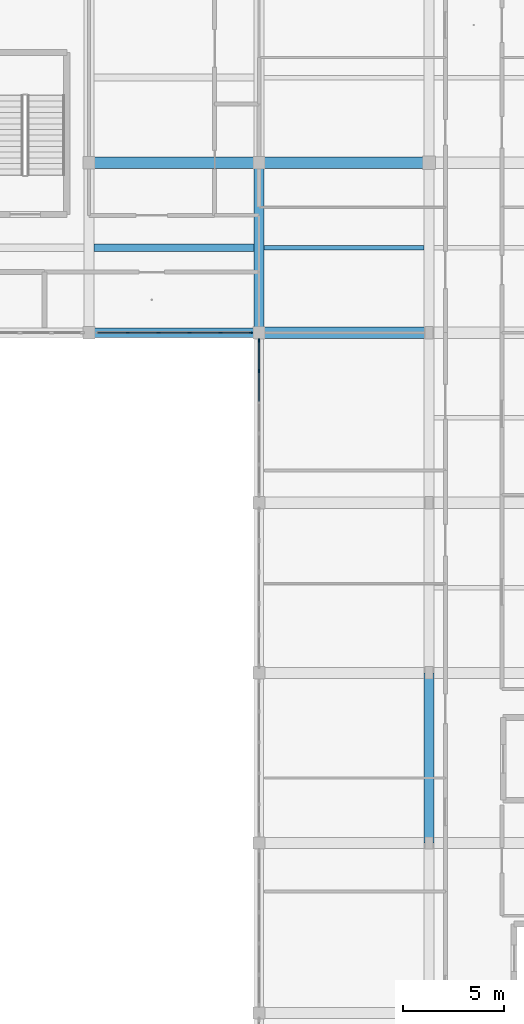
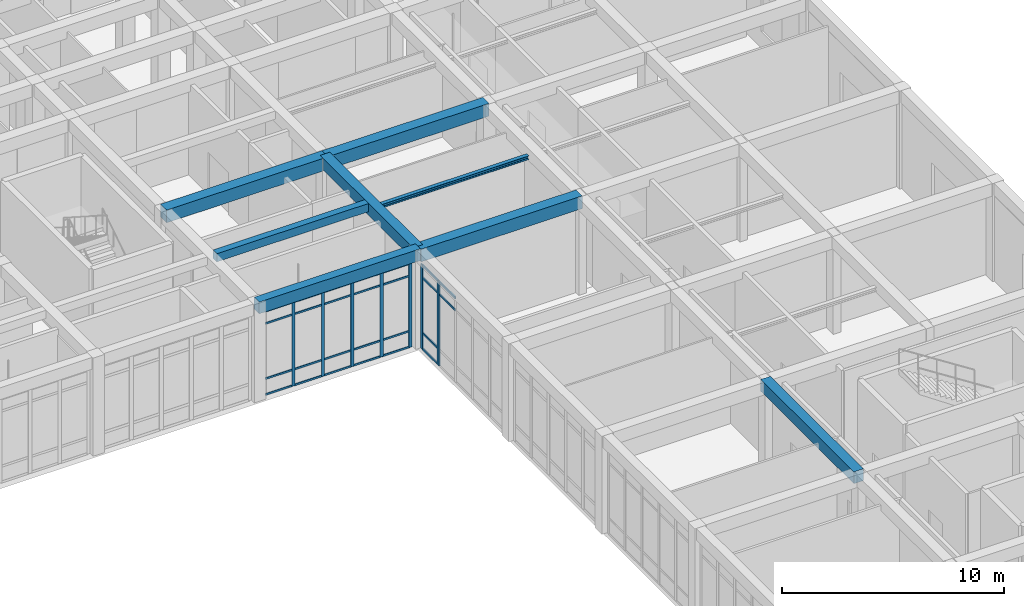
# One storey, part 52 of 157: 33 members, 8 beams, 2 elements without a shape of their own.
"""IFC4 building model written with IfcOpenShell, lengths in metres."""

from ifc_helpers import new_model, si_unit, direction, frame, origin, origin_2d, place, context, subcontext, project, spatial, rectangle, i_section, extrude, material, material_profile, profile_set, type_object, element, aggregate, save


model = new_model("IFC4")

# Units and contexts
model_context = context("Model", 3, precision=1e-05, world=origin(), true_north=direction((0.0, 1.0)))
body_context = subcontext(model_context, "Body", "Model", "MODEL_VIEW")
ifc_project = project(units=[si_unit("LENGTHUNIT", "METRE"), si_unit("AREAUNIT", "SQUARE_METRE"), si_unit("VOLUMEUNIT", "CUBIC_METRE"), si_unit("PLANEANGLEUNIT", "RADIAN"), si_unit("MASSUNIT", "GRAM", prefix="KILO")], contexts=[model_context])

# Site, building, storey
site_placement = place(None, origin())
site = spatial("IfcSite", under=ifc_project, at=site_placement, CompositionType="ELEMENT")
building_placement = place(site_placement, origin())
building = spatial("IfcBuilding", under=site, at=building_placement, Name="Varncliffe General Hospital", CompositionType="ELEMENT")
storey_placement = place(building_placement, frame((0.0, 0.0, 5.39990234375)))
storey = spatial("IfcBuildingStorey", under=building, at=storey_placement, Name="L01", CompositionType="ELEMENT", Elevation=5.39990234375)

# Beams
ifc_material_1 = material(Name="Concrete C35/45 (CSA A23.1 35 MPa)", Category="concrete")
ifc_material_profile_1 = material_profile(ifc_material_1, rectangle(XDim=0.5, YDim=0.64990234375, at=origin_2d()), Name="RC 500x650")
ifc_profile_set_1 = profile_set([ifc_material_profile_1], Name="Concrete C35/45 (CSA A23.1 35 MPa)")
beam_type_1 = type_object("IfcBeamType", Name="Beam B29 (Int RC 500x650)", PredefinedType="BEAM", material=ifc_profile_set_1)
for number, where, z_axis, x_axis, name in (
    (1, (151.199951171875, 82.800048828125, 5.0751953125), (0.0, 1.0, 0.0), (-1.0, 0.0, 0.0), "L01 Primary Beam B29-470"),
    (2, (159.60009765625, 57.60009765625, 5.0751953125), (0.0, 1.0, 0.0), (-1.0, 0.0, 0.0), "L01 Primary Beam B29-484"),
):
    element("IfcBeam", number, at=place(storey_placement, frame(where, z_axis=z_axis, x_axis=x_axis)), inside=storey, type_object=beam_type_1, Name=name, PredefinedType="BEAM", context=body_context, shape_type="SweptSolid", body=[
        extrude(rectangle(XDim=0.5, YDim=0.64990234375, at=origin_2d()), origin(), (0.0, 0.0, 1.0), 8.39990234375),
    ])
ifc_material_profile_2 = material_profile(ifc_material_1, rectangle(XDim=0.550048828125, YDim=0.699951171875, at=origin_2d()), Name="RC 550x700")
ifc_profile_set_2 = profile_set([ifc_material_profile_2], Name="Concrete C35/45 (CSA A23.1 35 MPa)")
beam_type_2 = type_object("IfcBeamType", Name="Beam B35 (Int RC 550x700)", PredefinedType="BEAM", material=ifc_profile_set_2)
beam_1_placement = place(storey_placement, frame((151.199951171875, 82.800048828125, 5.050048828125), z_axis=(1.0, 0.0, 0.0), x_axis=(0.0, 1.0, 0.0)))
element("IfcBeam", 3, at=beam_1_placement, inside=storey, type_object=beam_type_2, Name="L01 Primary Beam B35-130", PredefinedType="BEAM", context=body_context, shape_type="SweptSolid", body=[
    extrude(rectangle(XDim=0.550048828125, YDim=0.699951171875, at=origin_2d()), origin(), (0.0, 0.0, 1.0), 8.400146484375),
])
beam_2_placement = place(storey_placement, frame((142.800048828125, 91.199951171875, 5.050048828125), z_axis=(1.0, 0.0, 0.0), x_axis=(0.0, 1.0, 0.0)))
element("IfcBeam", 4, at=beam_2_placement, inside=storey, type_object=beam_type_2, Name="L01 Primary Beam B35-146", PredefinedType="BEAM", context=body_context, shape_type="SweptSolid", body=[
    extrude(rectangle(XDim=0.550048828125, YDim=0.699951171875, at=origin_2d()), origin(), (0.0, 0.0, 1.0), 8.39990234375),
])
beam_3_placement = place(storey_placement, frame((151.199951171875, 91.199951171875, 5.050048828125), z_axis=(1.0, 0.0, 0.0), x_axis=(0.0, 1.0, 0.0)))
element("IfcBeam", 5, at=beam_3_placement, inside=storey, type_object=beam_type_2, Name="L01 Primary Beam B35-147", PredefinedType="BEAM", context=body_context, shape_type="SweptSolid", body=[
    extrude(rectangle(XDim=0.550048828125, YDim=0.699951171875, at=origin_2d()), origin(), (0.0, 0.0, 1.0), 8.400146484375),
])

# Curtain wall, members
ifc_material_2 = material(Name="Triple low-E argon insulated vision glazing", Category="glass")
curtain_wall_type_1 = type_object("IfcCurtainWallType", Name="Unitised Glazed Curtain Wall CW70 (7724x4640)", PredefinedType="USERDEFINED", material=ifc_material_2)
curtain_wall_1_placement = place(storey_placement, origin())
curtain_wall_1 = element("IfcCurtainWall", 6, at=curtain_wall_1_placement, inside=storey, type_object=curtain_wall_type_1, Name="L01 Glazed Curtain Wall CW70-67", ObjectType="GLAZED CURTAIN WALL", PredefinedType="USERDEFINED")
ifc_material_3 = material(Name="Dark bronze thermally broken aluminium framing", Category="aluminium")
ifc_material_profile_3 = material_profile(ifc_material_3, rectangle(XDim=0.074951171875, YDim=0.179931640625, at=origin_2d()), Name="ALU 75x180")
ifc_profile_set_3 = profile_set([ifc_material_profile_3], Name="Dark bronze thermally broken aluminium framing")
member_type_1 = type_object("IfcMemberType", Name="Curtain Wall Mullion CM44 (ALU 75x180)", PredefinedType="MULLION", material=ifc_profile_set_3)
member_1_placement = place(storey_placement, frame((151.199951171875, 80.917236328125, 0.0), z_axis=(0.0, 0.0, 1.0), x_axis=(-1.0, 0.0, 0.0)))
member_1 = element("IfcMember", 7, at=member_1_placement, type_object=member_type_1, Name="CW70 mullion 5", PredefinedType="MULLION", context=body_context, shape_type="SweptSolid", body=[
    extrude(rectangle(XDim=0.074951171875, YDim=0.179931640625, at=origin_2d()), origin(), (0.0, 0.0, 1.0), 4.64013671875),
])
member_2_placement = place(storey_placement, frame((151.199951171875, 82.424560546875, 0.0), z_axis=(0.0, 0.0, 1.0), x_axis=(-1.0, 0.0, 0.0)))
member_2 = element("IfcMember", 8, at=member_2_placement, type_object=member_type_1, Name="CW70 mullion 6", PredefinedType="MULLION", context=body_context, shape_type="SweptSolid", body=[
    extrude(rectangle(XDim=0.074951171875, YDim=0.179931640625, at=origin_2d()), origin(), (0.0, 0.0, 1.0), 4.64013671875),
])

curtain_wall_type_2 = type_object("IfcCurtainWallType", Name="Unitised Glazed Curtain Wall CW27 (7644x4640)", PredefinedType="USERDEFINED", material=ifc_material_2)
curtain_wall_2_placement = place(storey_placement, origin())
curtain_wall_2 = element("IfcCurtainWall", 9, at=curtain_wall_2_placement, inside=storey, type_object=curtain_wall_type_2, Name="L01 Glazed Curtain Wall CW27-68", ObjectType="GLAZED CURTAIN WALL", PredefinedType="USERDEFINED")
ifc_material_profile_4 = material_profile(ifc_material_3, rectangle(XDim=0.06494140625, YDim=0.159912109375, at=origin_2d()), Name="ALU 65x160")
ifc_profile_set_4 = profile_set([ifc_material_profile_4], Name="Dark bronze thermally broken aluminium framing")
member_type_2 = type_object("IfcMemberType", Name="Curtain Wall Mullion CM65 (ALU 65x160)", PredefinedType="MULLION", material=ifc_profile_set_4)
member_3_placement = place(storey_placement, frame((150.78955078125, 82.800048828125, 0.0), z_axis=(0.0, 0.0, 1.0), x_axis=(0.0, -1.0, 0.0)))
member_3 = element("IfcMember", 10, at=member_3_placement, type_object=member_type_2, Name="CW27 mullion 1", PredefinedType="MULLION", context=body_context, shape_type="SweptSolid", body=[
    extrude(rectangle(XDim=0.06494140625, YDim=0.159912109375, at=origin_2d()), origin(), (0.0, 0.0, 1.0), 4.64013671875),
])
member_4_placement = place(storey_placement, frame((149.293212890625, 82.800048828125, 0.0), z_axis=(0.0, 0.0, 1.0), x_axis=(0.0, -1.0, 0.0)))
member_4 = element("IfcMember", 11, at=member_4_placement, type_object=member_type_2, Name="CW27 mullion 2", PredefinedType="MULLION", context=body_context, shape_type="SweptSolid", body=[
    extrude(rectangle(XDim=0.06494140625, YDim=0.159912109375, at=origin_2d()), origin(), (0.0, 0.0, 1.0), 4.64013671875),
])
member_5_placement = place(storey_placement, frame((147.764404296875, 82.800048828125, 0.0), z_axis=(0.0, 0.0, 1.0), x_axis=(0.0, -1.0, 0.0)))
member_5 = element("IfcMember", 12, at=member_5_placement, type_object=member_type_2, Name="CW27 mullion 3", PredefinedType="MULLION", context=body_context, shape_type="SweptSolid", body=[
    extrude(rectangle(XDim=0.06494140625, YDim=0.159912109375, at=origin_2d()), origin(), (0.0, 0.0, 1.0), 4.64013671875),
])
member_6_placement = place(storey_placement, frame((146.235595703125, 82.800048828125, 0.0), z_axis=(0.0, 0.0, 1.0), x_axis=(0.0, -1.0, 0.0)))
member_6 = element("IfcMember", 13, at=member_6_placement, type_object=member_type_2, Name="CW27 mullion 4", PredefinedType="MULLION", context=body_context, shape_type="SweptSolid", body=[
    extrude(rectangle(XDim=0.06494140625, YDim=0.159912109375, at=origin_2d()), origin(), (0.0, 0.0, 1.0), 4.64013671875),
])
member_7_placement = place(storey_placement, frame((144.706787109375, 82.800048828125, 0.0), z_axis=(0.0, 0.0, 1.0), x_axis=(0.0, -1.0, 0.0)))
member_7 = element("IfcMember", 14, at=member_7_placement, type_object=member_type_2, Name="CW27 mullion 5", PredefinedType="MULLION", context=body_context, shape_type="SweptSolid", body=[
    extrude(rectangle(XDim=0.06494140625, YDim=0.159912109375, at=origin_2d()), origin(), (0.0, 0.0, 1.0), 4.64013671875),
])

# Member
ifc_material_profile_5 = material_profile(ifc_material_3, rectangle(XDim=0.06005859375, YDim=0.1201171875, at=origin_2d()), Name="ALU 60x120")
ifc_profile_set_5 = profile_set([ifc_material_profile_5], Name="Dark bronze thermally broken aluminium framing")
member_type_3 = type_object("IfcMemberType", Name="Curtain Wall Transom CT14 (ALU 60x120)", PredefinedType="USERDEFINED", material=ifc_profile_set_5)
member_8_placement = place(storey_placement, frame((151.199951171875, 79.409912109375, 3.940185546875), z_axis=(0.0, 1.0, 0.0), x_axis=(-1.0, 0.0, 0.0)))
member_8 = element("IfcMember", 15, at=member_8_placement, type_object=member_type_3, Name="CW70 transom 4.3", ObjectType="TRANSOM", PredefinedType="USERDEFINED", context=body_context, shape_type="SweptSolid", body=[
    extrude(rectangle(XDim=0.06005859375, YDim=0.1201171875, at=origin_2d()), origin(), (0.0, 0.0, 1.0), 1.4697265625),
])

member_9_placement = place(storey_placement, frame((151.199951171875, 79.409912109375, 4.610107421875), z_axis=(0.0, 1.0, 0.0), x_axis=(-1.0, 0.0, 0.0)))
member_9 = element("IfcMember", 16, at=member_9_placement, type_object=member_type_3, Name="CW70 transom 4.4", ObjectType="TRANSOM", PredefinedType="USERDEFINED", context=body_context, shape_type="SweptSolid", body=[
    extrude(rectangle(XDim=0.06005859375, YDim=0.1201171875, at=origin_2d()), origin(), (0.0, 0.0, 1.0), 1.4697265625),
])

member_10_placement = place(storey_placement, frame((151.199951171875, 80.95458984375, 0.030029296875), z_axis=(0.0, 1.0, 0.0), x_axis=(-1.0, 0.0, 0.0)))
member_10 = element("IfcMember", 17, at=member_10_placement, type_object=member_type_3, Name="CW70 transom 5.1", ObjectType="TRANSOM", PredefinedType="USERDEFINED", context=body_context, shape_type="SweptSolid", body=[
    extrude(rectangle(XDim=0.06005859375, YDim=0.1201171875, at=origin_2d()), origin(), (0.0, 0.0, 1.0), 1.432373046875),
])

member_11_placement = place(storey_placement, frame((151.199951171875, 80.95458984375, 0.900146484375), z_axis=(0.0, 1.0, 0.0), x_axis=(-1.0, 0.0, 0.0)))
member_11 = element("IfcMember", 18, at=member_11_placement, type_object=member_type_3, Name="CW70 transom 5.2", ObjectType="TRANSOM", PredefinedType="USERDEFINED", context=body_context, shape_type="SweptSolid", body=[
    extrude(rectangle(XDim=0.06005859375, YDim=0.1201171875, at=origin_2d()), origin(), (0.0, 0.0, 1.0), 1.432373046875),
])

member_12_placement = place(storey_placement, frame((151.199951171875, 80.95458984375, 3.940185546875), z_axis=(0.0, 1.0, 0.0), x_axis=(-1.0, 0.0, 0.0)))
member_12 = element("IfcMember", 19, at=member_12_placement, type_object=member_type_3, Name="CW70 transom 5.3", ObjectType="TRANSOM", PredefinedType="USERDEFINED", context=body_context, shape_type="SweptSolid", body=[
    extrude(rectangle(XDim=0.06005859375, YDim=0.1201171875, at=origin_2d()), origin(), (0.0, 0.0, 1.0), 1.432373046875),
])

member_13_placement = place(storey_placement, frame((151.199951171875, 80.95458984375, 4.610107421875), z_axis=(0.0, 1.0, 0.0), x_axis=(-1.0, 0.0, 0.0)))
member_13 = element("IfcMember", 20, at=member_13_placement, type_object=member_type_3, Name="CW70 transom 5.4", ObjectType="TRANSOM", PredefinedType="USERDEFINED", context=body_context, shape_type="SweptSolid", body=[
    extrude(rectangle(XDim=0.06005859375, YDim=0.1201171875, at=origin_2d()), origin(), (0.0, 0.0, 1.0), 1.432373046875),
])

aggregate(curtain_wall_1, [member_1, member_2, member_8, member_9, member_10, member_11, member_12, member_13])

ifc_material_profile_6 = material_profile(ifc_material_3, rectangle(XDim=0.06005859375, YDim=0.10009765625, at=origin_2d()), Name="ALU 60x100")
ifc_profile_set_6 = profile_set([ifc_material_profile_6], Name="Dark bronze thermally broken aluminium framing")
member_type_4 = type_object("IfcMemberType", Name="Curtain Wall Transom CT18 (ALU 60x100)", PredefinedType="USERDEFINED", material=ifc_profile_set_6)
member_14_placement = place(storey_placement, frame((150.757080078125, 82.800048828125, 0.030029296875), z_axis=(-1.0, 0.0, 0.0), x_axis=(0.0, -1.0, 0.0)))
member_14 = element("IfcMember", 21, at=member_14_placement, type_object=member_type_4, Name="CW27 transom 1.1", ObjectType="TRANSOM", PredefinedType="USERDEFINED", context=body_context, shape_type="SweptSolid", body=[
    extrude(rectangle(XDim=0.06005859375, YDim=0.10009765625, at=origin_2d()), origin(), (0.0, 0.0, 1.0), 1.431396484375),
])

member_15_placement = place(storey_placement, frame((150.757080078125, 82.800048828125, 0.900146484375), z_axis=(-1.0, 0.0, 0.0), x_axis=(0.0, -1.0, 0.0)))
member_15 = element("IfcMember", 22, at=member_15_placement, type_object=member_type_4, Name="CW27 transom 1.2", ObjectType="TRANSOM", PredefinedType="USERDEFINED", context=body_context, shape_type="SweptSolid", body=[
    extrude(rectangle(XDim=0.06005859375, YDim=0.10009765625, at=origin_2d()), origin(), (0.0, 0.0, 1.0), 1.431396484375),
])

member_16_placement = place(storey_placement, frame((150.757080078125, 82.800048828125, 3.940185546875), z_axis=(-1.0, 0.0, 0.0), x_axis=(0.0, -1.0, 0.0)))
member_16 = element("IfcMember", 23, at=member_16_placement, type_object=member_type_4, Name="CW27 transom 1.3", ObjectType="TRANSOM", PredefinedType="USERDEFINED", context=body_context, shape_type="SweptSolid", body=[
    extrude(rectangle(XDim=0.06005859375, YDim=0.10009765625, at=origin_2d()), origin(), (0.0, 0.0, 1.0), 1.431396484375),
])

member_17_placement = place(storey_placement, frame((150.757080078125, 82.800048828125, 4.610107421875), z_axis=(-1.0, 0.0, 0.0), x_axis=(0.0, -1.0, 0.0)))
member_17 = element("IfcMember", 24, at=member_17_placement, type_object=member_type_4, Name="CW27 transom 1.4", ObjectType="TRANSOM", PredefinedType="USERDEFINED", context=body_context, shape_type="SweptSolid", body=[
    extrude(rectangle(XDim=0.06005859375, YDim=0.10009765625, at=origin_2d()), origin(), (0.0, 0.0, 1.0), 1.431396484375),
])

member_18_placement = place(storey_placement, frame((149.2607421875, 82.800048828125, 0.030029296875), z_axis=(-1.0, 0.0, 0.0), x_axis=(0.0, -1.0, 0.0)))
member_18 = element("IfcMember", 25, at=member_18_placement, type_object=member_type_4, Name="CW27 transom 2.1", ObjectType="TRANSOM", PredefinedType="USERDEFINED", context=body_context, shape_type="SweptSolid", body=[
    extrude(rectangle(XDim=0.06005859375, YDim=0.10009765625, at=origin_2d()), origin(), (0.0, 0.0, 1.0), 1.4638671875),
])

member_19_placement = place(storey_placement, frame((149.2607421875, 82.800048828125, 0.900146484375), z_axis=(-1.0, 0.0, 0.0), x_axis=(0.0, -1.0, 0.0)))
member_19 = element("IfcMember", 26, at=member_19_placement, type_object=member_type_4, Name="CW27 transom 2.2", ObjectType="TRANSOM", PredefinedType="USERDEFINED", context=body_context, shape_type="SweptSolid", body=[
    extrude(rectangle(XDim=0.06005859375, YDim=0.10009765625, at=origin_2d()), origin(), (0.0, 0.0, 1.0), 1.4638671875),
])

member_20_placement = place(storey_placement, frame((149.2607421875, 82.800048828125, 3.940185546875), z_axis=(-1.0, 0.0, 0.0), x_axis=(0.0, -1.0, 0.0)))
member_20 = element("IfcMember", 27, at=member_20_placement, type_object=member_type_4, Name="CW27 transom 2.3", ObjectType="TRANSOM", PredefinedType="USERDEFINED", context=body_context, shape_type="SweptSolid", body=[
    extrude(rectangle(XDim=0.06005859375, YDim=0.10009765625, at=origin_2d()), origin(), (0.0, 0.0, 1.0), 1.4638671875),
])

member_21_placement = place(storey_placement, frame((149.2607421875, 82.800048828125, 4.610107421875), z_axis=(-1.0, 0.0, 0.0), x_axis=(0.0, -1.0, 0.0)))
member_21 = element("IfcMember", 28, at=member_21_placement, type_object=member_type_4, Name="CW27 transom 2.4", ObjectType="TRANSOM", PredefinedType="USERDEFINED", context=body_context, shape_type="SweptSolid", body=[
    extrude(rectangle(XDim=0.06005859375, YDim=0.10009765625, at=origin_2d()), origin(), (0.0, 0.0, 1.0), 1.4638671875),
])

member_22_placement = place(storey_placement, frame((147.73193359375, 82.800048828125, 0.030029296875), z_axis=(-1.0, 0.0, 0.0), x_axis=(0.0, -1.0, 0.0)))
member_22 = element("IfcMember", 29, at=member_22_placement, type_object=member_type_4, Name="CW27 transom 3.1", ObjectType="TRANSOM", PredefinedType="USERDEFINED", context=body_context, shape_type="SweptSolid", body=[
    extrude(rectangle(XDim=0.06005859375, YDim=0.10009765625, at=origin_2d()), origin(), (0.0, 0.0, 1.0), 1.4638671875),
])

member_23_placement = place(storey_placement, frame((147.73193359375, 82.800048828125, 0.900146484375), z_axis=(-1.0, 0.0, 0.0), x_axis=(0.0, -1.0, 0.0)))
member_23 = element("IfcMember", 30, at=member_23_placement, type_object=member_type_4, Name="CW27 transom 3.2", ObjectType="TRANSOM", PredefinedType="USERDEFINED", context=body_context, shape_type="SweptSolid", body=[
    extrude(rectangle(XDim=0.06005859375, YDim=0.10009765625, at=origin_2d()), origin(), (0.0, 0.0, 1.0), 1.4638671875),
])

member_24_placement = place(storey_placement, frame((147.73193359375, 82.800048828125, 3.940185546875), z_axis=(-1.0, 0.0, 0.0), x_axis=(0.0, -1.0, 0.0)))
member_24 = element("IfcMember", 31, at=member_24_placement, type_object=member_type_4, Name="CW27 transom 3.3", ObjectType="TRANSOM", PredefinedType="USERDEFINED", context=body_context, shape_type="SweptSolid", body=[
    extrude(rectangle(XDim=0.06005859375, YDim=0.10009765625, at=origin_2d()), origin(), (0.0, 0.0, 1.0), 1.4638671875),
])

member_25_placement = place(storey_placement, frame((147.73193359375, 82.800048828125, 4.610107421875), z_axis=(-1.0, 0.0, 0.0), x_axis=(0.0, -1.0, 0.0)))
member_25 = element("IfcMember", 32, at=member_25_placement, type_object=member_type_4, Name="CW27 transom 3.4", ObjectType="TRANSOM", PredefinedType="USERDEFINED", context=body_context, shape_type="SweptSolid", body=[
    extrude(rectangle(XDim=0.06005859375, YDim=0.10009765625, at=origin_2d()), origin(), (0.0, 0.0, 1.0), 1.4638671875),
])

member_26_placement = place(storey_placement, frame((146.203125, 82.800048828125, 0.030029296875), z_axis=(-1.0, 0.0, 0.0), x_axis=(0.0, -1.0, 0.0)))
member_26 = element("IfcMember", 33, at=member_26_placement, type_object=member_type_4, Name="CW27 transom 4.1", ObjectType="TRANSOM", PredefinedType="USERDEFINED", context=body_context, shape_type="SweptSolid", body=[
    extrude(rectangle(XDim=0.06005859375, YDim=0.10009765625, at=origin_2d()), origin(), (0.0, 0.0, 1.0), 1.4638671875),
])

member_27_placement = place(storey_placement, frame((146.203125, 82.800048828125, 0.900146484375), z_axis=(-1.0, 0.0, 0.0), x_axis=(0.0, -1.0, 0.0)))
member_27 = element("IfcMember", 34, at=member_27_placement, type_object=member_type_4, Name="CW27 transom 4.2", ObjectType="TRANSOM", PredefinedType="USERDEFINED", context=body_context, shape_type="SweptSolid", body=[
    extrude(rectangle(XDim=0.06005859375, YDim=0.10009765625, at=origin_2d()), origin(), (0.0, 0.0, 1.0), 1.4638671875),
])

member_28_placement = place(storey_placement, frame((146.203125, 82.800048828125, 3.940185546875), z_axis=(-1.0, 0.0, 0.0), x_axis=(0.0, -1.0, 0.0)))
member_28 = element("IfcMember", 35, at=member_28_placement, type_object=member_type_4, Name="CW27 transom 4.3", ObjectType="TRANSOM", PredefinedType="USERDEFINED", context=body_context, shape_type="SweptSolid", body=[
    extrude(rectangle(XDim=0.06005859375, YDim=0.10009765625, at=origin_2d()), origin(), (0.0, 0.0, 1.0), 1.4638671875),
])

member_29_placement = place(storey_placement, frame((146.203125, 82.800048828125, 4.610107421875), z_axis=(-1.0, 0.0, 0.0), x_axis=(0.0, -1.0, 0.0)))
member_29 = element("IfcMember", 36, at=member_29_placement, type_object=member_type_4, Name="CW27 transom 4.4", ObjectType="TRANSOM", PredefinedType="USERDEFINED", context=body_context, shape_type="SweptSolid", body=[
    extrude(rectangle(XDim=0.06005859375, YDim=0.10009765625, at=origin_2d()), origin(), (0.0, 0.0, 1.0), 1.4638671875),
])

member_30_placement = place(storey_placement, frame((144.67431640625, 82.800048828125, 0.030029296875), z_axis=(-1.0, 0.0, 0.0), x_axis=(0.0, -1.0, 0.0)))
member_30 = element("IfcMember", 37, at=member_30_placement, type_object=member_type_4, Name="CW27 transom 5.1", ObjectType="TRANSOM", PredefinedType="USERDEFINED", context=body_context, shape_type="SweptSolid", body=[
    extrude(rectangle(XDim=0.06005859375, YDim=0.10009765625, at=origin_2d()), origin(), (0.0, 0.0, 1.0), 1.431396484375),
])

member_31_placement = place(storey_placement, frame((144.67431640625, 82.800048828125, 0.900146484375), z_axis=(-1.0, 0.0, 0.0), x_axis=(0.0, -1.0, 0.0)))
member_31 = element("IfcMember", 38, at=member_31_placement, type_object=member_type_4, Name="CW27 transom 5.2", ObjectType="TRANSOM", PredefinedType="USERDEFINED", context=body_context, shape_type="SweptSolid", body=[
    extrude(rectangle(XDim=0.06005859375, YDim=0.10009765625, at=origin_2d()), origin(), (0.0, 0.0, 1.0), 1.431396484375),
])

member_32_placement = place(storey_placement, frame((144.67431640625, 82.800048828125, 3.940185546875), z_axis=(-1.0, 0.0, 0.0), x_axis=(0.0, -1.0, 0.0)))
member_32 = element("IfcMember", 39, at=member_32_placement, type_object=member_type_4, Name="CW27 transom 5.3", ObjectType="TRANSOM", PredefinedType="USERDEFINED", context=body_context, shape_type="SweptSolid", body=[
    extrude(rectangle(XDim=0.06005859375, YDim=0.10009765625, at=origin_2d()), origin(), (0.0, 0.0, 1.0), 1.431396484375),
])

member_33_placement = place(storey_placement, frame((144.67431640625, 82.800048828125, 4.610107421875), z_axis=(-1.0, 0.0, 0.0), x_axis=(0.0, -1.0, 0.0)))
member_33 = element("IfcMember", 40, at=member_33_placement, type_object=member_type_4, Name="CW27 transom 5.4", ObjectType="TRANSOM", PredefinedType="USERDEFINED", context=body_context, shape_type="SweptSolid", body=[
    extrude(rectangle(XDim=0.06005859375, YDim=0.10009765625, at=origin_2d()), origin(), (0.0, 0.0, 1.0), 1.431396484375),
])

aggregate(curtain_wall_2, [member_3, member_4, member_5, member_6, member_7, member_14, member_15, member_16, member_17, member_18, member_19, member_20, member_21, member_22, member_23, member_24, member_25, member_26, member_27, member_28, member_29, member_30, member_31, member_32, member_33])

# Beams
ifc_material_4 = material(Name="Steel S355 (CSA G40.21 350W)", Category="steel")
ifc_material_profile_7 = material_profile(ifc_material_4, i_section(OverallWidth=0.2041015625, OverallDepth=0.2060546875, WebThickness=0.0078125, FlangeThickness=0.0126953125, FilletRadius=0.010986328125, at=origin_2d()), Name="W200x52")
ifc_profile_set_7 = profile_set([ifc_material_profile_7], Name="Steel S355 (CSA G40.21 350W)")
beam_type_3 = type_object("IfcBeamType", Name="Joist J27 (Int W200x52)", PredefinedType="JOIST", material=ifc_profile_set_7)
beam_4_placement = place(storey_placement, frame((151.447998046875, 87.0, 4.93701171875), z_axis=(1.0, 0.0, 0.0), x_axis=(0.0, 1.0, 0.0)))
element("IfcBeam", 41, at=beam_4_placement, inside=storey, type_object=beam_type_3, Name="L01 Secondary Floor Rib J27-74", PredefinedType="JOIST", context=body_context, shape_type="SweptSolid", body=[
    extrude(i_section(OverallWidth=0.2041015625, OverallDepth=0.2060546875, WebThickness=0.0078125, FlangeThickness=0.0126953125, FilletRadius=0.010986328125, at=origin_2d()), origin(), (0.0, 0.0, 1.0), 7.904052734375),
])
ifc_material_profile_8 = material_profile(ifc_material_1, rectangle(XDim=0.35009765625, YDim=0.449951171875, at=origin_2d()), Name="RC 350x450")
ifc_profile_set_8 = profile_set([ifc_material_profile_8], Name="Concrete C35/45 (CSA A23.1 35 MPa)")
beam_type_4 = type_object("IfcBeamType", Name="Joist J55 (Int RC 350x450)", PredefinedType="JOIST", material=ifc_profile_set_8)
beam_5_placement = place(storey_placement, frame((143.048095703125, 87.0, 5.175048828125), z_axis=(1.0, 0.0, 0.0), x_axis=(0.0, 1.0, 0.0)))
element("IfcBeam", 42, at=beam_5_placement, inside=storey, type_object=beam_type_4, Name="L01 Secondary Floor Rib J55-70", PredefinedType="JOIST", context=body_context, shape_type="SweptSolid", body=[
    extrude(rectangle(XDim=0.35009765625, YDim=0.449951171875, at=origin_2d()), origin(), (0.0, 0.0, 1.0), 7.90380859375),
])
ifc_material_profile_9 = material_profile(ifc_material_1, rectangle(XDim=0.449951171875, YDim=0.64990234375, at=origin_2d()), Name="RC 450x650")
ifc_profile_set_9 = profile_set([ifc_material_profile_9], Name="Concrete C35/45 (CSA A23.1 35 MPa)")
beam_type_5 = type_object("IfcBeamType", Name="Spandrel SP38 (Ext RC 450x650B)", PredefinedType="SPANDREL", material=ifc_profile_set_9)
beam_6_placement = place(storey_placement, frame((142.800048828125, 82.800048828125, 5.0751953125), z_axis=(1.0, 0.0, 0.0), x_axis=(0.0, 1.0, 0.0)))
element("IfcBeam", 43, at=beam_6_placement, inside=storey, type_object=beam_type_5, Name="L01 Spandrel Beam SP38-129", PredefinedType="SPANDREL", context=body_context, shape_type="SweptSolid", body=[
    extrude(rectangle(XDim=0.449951171875, YDim=0.64990234375, at=origin_2d()), origin(), (0.0, 0.0, 1.0), 8.39990234375),
])

save(model, "model.ifc")
